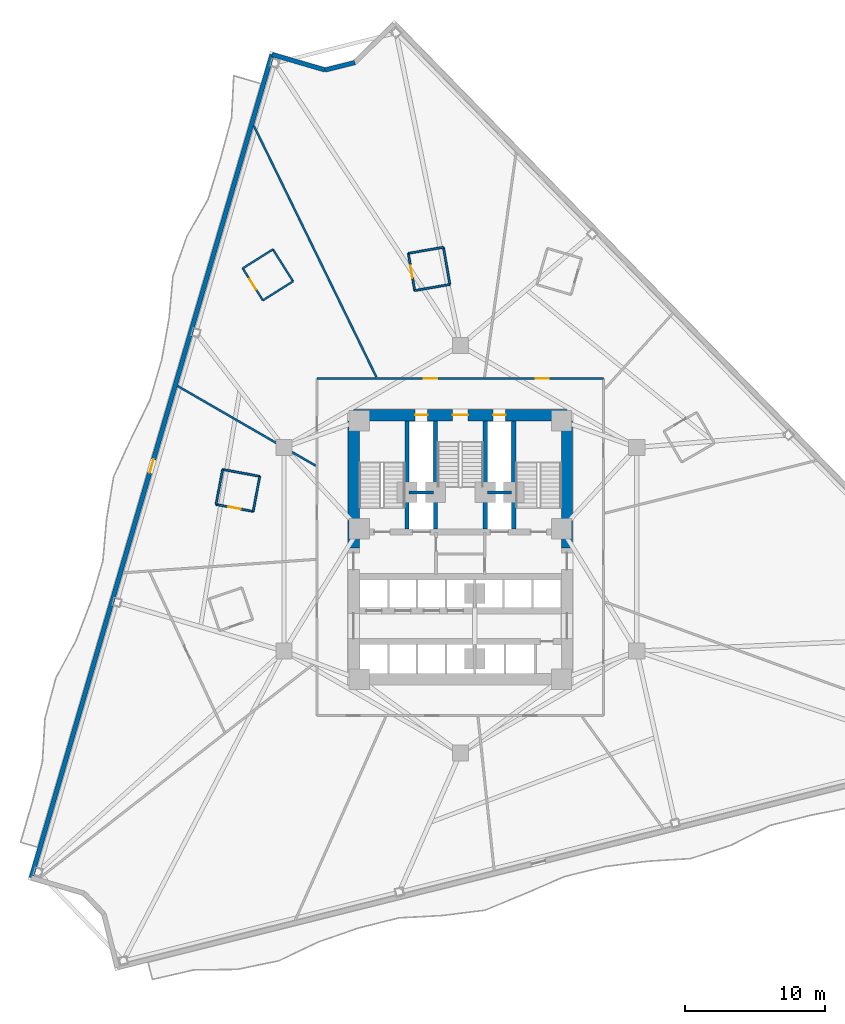
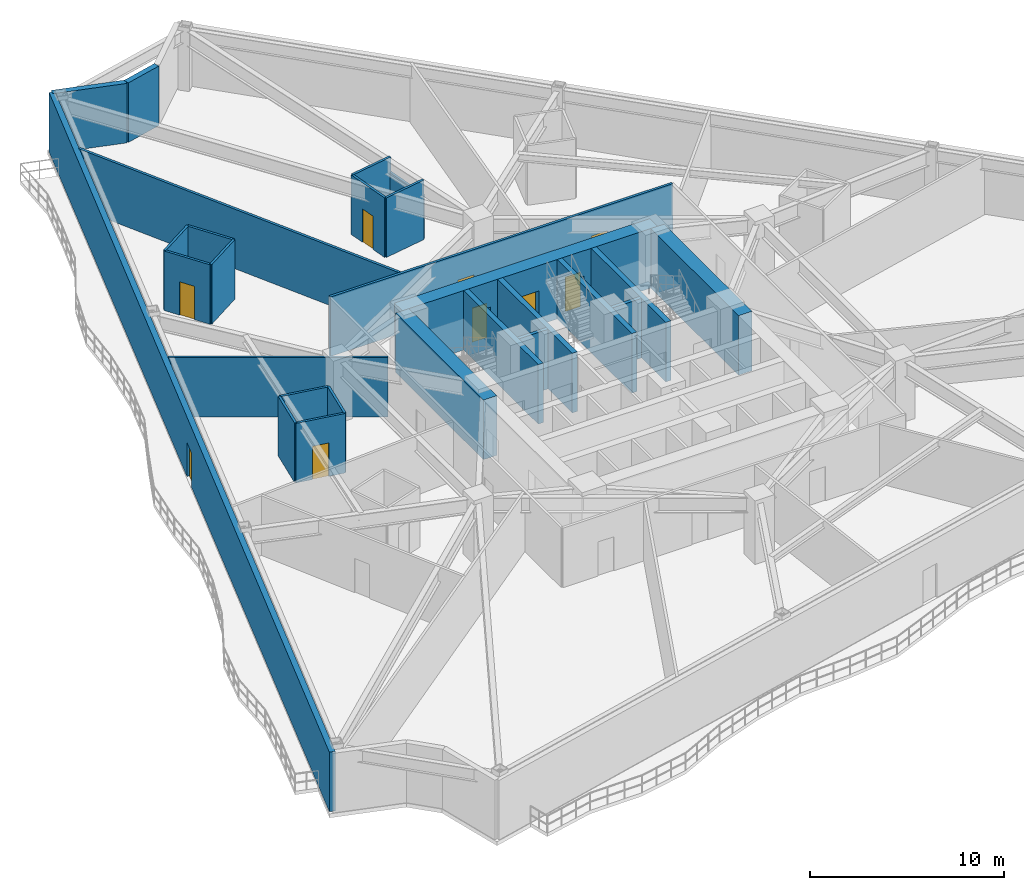
# One storey, part 5 of 9: 27 walls, 9 doors, 9 openings.
"""IFC4 building model written with IfcOpenShell, lengths in metres."""

from ifc_helpers import new_model, si_unit, direction, frame, frame_2d, origin, place, context, subcontext, project, spatial, rectangle, extrude, material, layer, layer_set, type_object, element, fill, save


model = new_model("IFC4")

# Units and contexts
model_context = context("Model", 3, precision=1e-05, world=origin(), true_north=direction((0.0, 1.0)))
body_context = subcontext(model_context, "Body", "Model", "MODEL_VIEW")
ifc_project = project(units=[si_unit("LENGTHUNIT", "METRE"), si_unit("AREAUNIT", "SQUARE_METRE"), si_unit("VOLUMEUNIT", "CUBIC_METRE"), si_unit("PLANEANGLEUNIT", "RADIAN"), si_unit("MASSUNIT", "GRAM", prefix="KILO")], contexts=[model_context])

# Site, building, storey
site_placement = place(None, origin())
site = spatial("IfcSite", under=ifc_project, at=site_placement, CompositionType="ELEMENT")
building_placement = place(site_placement, origin())
building = spatial("IfcBuilding", under=site, at=building_placement, Name="Apsidion Concourse Tower", CompositionType="ELEMENT")
storey_placement = place(building_placement, frame((0.0, 0.0, 119.0)))
storey = spatial("IfcBuildingStorey", under=building, at=storey_placement, Name="L27", CompositionType="ELEMENT", Elevation=119.0)

# Wall, opening, door
ifc_material_1 = material(Name="Precast concrete C40/50", Category="concrete")
ifc_layer_1 = layer(ifc_material_1, 0.320068359375)
ifc_layer_set_1 = layer_set([ifc_layer_1], Name="Precast concrete C40/50")
wall_type_1 = type_object("IfcWallType", Name="WL-EXT-320", PredefinedType="STANDARD", material=ifc_layer_set_1)
wall_1_placement = place(storey_placement, frame((-30.55908203125, -23.389404296875, 0.0), z_axis=(0.0, 0.0, 1.0), x_axis=(0.280769703207, 0.95977516834, 0.0)))
wall_1 = element("IfcWall", 1, at=wall_1_placement, inside=storey, type_object=wall_type_1, Name="L27 Precast Stone Facade Wall 09", PredefinedType="STANDARD", context=body_context, shape_type="SweptSolid", body=[
    extrude(rectangle(XDim=61.07568359375, YDim=0.320068359375, at=frame_2d((30.537841796875, 0.0))), origin(), (0.0, 0.0, 1.0), 3.75),
])
opening_1_placement = place(wall_1_placement, frame((30.037841796875, 0.0, 0.0)))
opening_1 = element("IfcOpeningElement", 2, at=opening_1_placement, cuts=wall_1, Name="Opening D-T1R", PredefinedType="OPENING", context=body_context, shape_type="SweptSolid", body=[
    extrude(rectangle(XDim=1.0, YDim=2.14990234375, at=frame_2d((0.5, 1.074951171875))), frame((0.0, 0.169921875, 0.0), z_axis=(0.0, -1.0, 0.0), x_axis=(1.0, 0.0, 0.0)), (0.0, 0.0, 1.0), 0.340087890625),
])
ifc_material_2 = material(Name="Anodised aluminium EN AW-6063 T6", Category="aluminium")
door_type_1 = type_object("IfcDoorType", Name="DR-TER-1022R", OperationType="SINGLE_SWING_RIGHT", PredefinedType="DOOR", material=ifc_material_2)
door_1_placement = place(opening_1_placement, origin())
door_1 = element("IfcDoor", 3, at=door_1_placement, inside=storey, type_object=door_type_1, Name="L27 Balcony Access Door 1", OperationType="SINGLE_SWING_RIGHT", OverallHeight=2.14990234375, OverallWidth=1.0, PredefinedType="DOOR", context=body_context, shape_type="SweptSolid", body=[
    extrude(rectangle(XDim=1.0, YDim=2.14990234375, at=frame_2d((0.5, 1.074951171875))), frame((0.0, 0.02490234375, 0.0), z_axis=(0.0, -1.0, 0.0), x_axis=(1.0, 0.0, 0.0)), (0.0, 0.0, 1.0), 0.050048828125),
])
fill(opening_1, door_1)

# Walls
wall_2_placement = place(storey_placement, frame((-13.410888671875, 35.2294921875, 0.0), z_axis=(0.0, 0.0, 1.0), x_axis=(0.959788404321, -0.280724453747, 0.0)))
element("IfcWall", 4, at=wall_2_placement, inside=storey, type_object=wall_type_1, Name="L27 Precast Stone Facade Wall 10", PredefinedType="STANDARD", context=body_context, shape_type="SweptSolid", body=[
    extrude(rectangle(XDim=3.93359375, YDim=0.320068359375, at=frame_2d((1.966796875, 0.0))), origin(), (0.0, 0.0, 1.0), 3.75),
])
wall_3_placement = place(storey_placement, frame((-9.635498046875, 34.125244140625, 0.0), z_axis=(0.0, 0.0, 1.0), x_axis=(0.970306423964, 0.241878985475, 0.0)))
element("IfcWall", 5, at=wall_3_placement, inside=storey, type_object=wall_type_1, Name="L27 Precast Stone Facade Wall 11", PredefinedType="STANDARD", context=body_context, shape_type="SweptSolid", body=[
    extrude(rectangle(XDim=2.187255859375, YDim=0.320068359375, at=frame_2d((1.09375, 0.0))), origin(), (0.0, 0.0, 1.0), 3.75),
])
ifc_material_3 = material(Name="Gypsum plasterboard partition")
ifc_layer_2 = layer(ifc_material_3, 0.139892578125)
ifc_layer_set_2 = layer_set([ifc_layer_2], Name="Gypsum plasterboard partition")
wall_type_2 = type_object("IfcWallType", Name="WL-INT-PAR-140", PredefinedType="PARTITIONING", material=ifc_layer_set_2)
wall_4_placement = place(storey_placement, frame((-0.748046875, 18.852294921875, 0.0), z_axis=(0.0, 0.0, 1.0), x_axis=(-0.170268588625, 0.985397690137, 0.0)))
element("IfcWall", 6, at=wall_4_placement, inside=storey, type_object=wall_type_2, Name="L27 Interior Partition WL-L27-POD-ENS08-S1", PredefinedType="PARTITIONING", context=body_context, shape_type="SweptSolid", body=[
    extrude(rectangle(XDim=2.68994140625, YDim=0.139892578125, at=frame_2d((1.344970703125, 0.0))), origin(), (0.0, 0.0, 1.0), 2.798095703125),
])
wall_5_placement = place(storey_placement, frame((-1.2060546875, 21.5029296875, 0.0), z_axis=(0.0, 0.0, 1.0), x_axis=(-0.985405123608, -0.170225563198, 0.0)))
element("IfcWall", 7, at=wall_5_placement, inside=storey, type_object=wall_type_2, Name="L27 Interior Partition WL-L27-POD-ENS08-S2", PredefinedType="PARTITIONING", context=body_context, shape_type="SweptSolid", body=[
    extrude(rectangle(XDim=2.5400390625, YDim=0.139892578125, at=frame_2d((1.27001953125, 0.0))), origin(), (0.0, 0.0, 1.0), 3.75),
])

# Wall, opening, door
wall_6_placement = place(storey_placement, frame((-3.708984375, 21.070556640625, 0.0), z_axis=(0.0, 0.0, 1.0), x_axis=(0.170180456377, -0.985412914604, 0.0)))
wall_6 = element("IfcWall", 8, at=wall_6_placement, inside=storey, type_object=wall_type_2, Name="L27 Interior Partition WL-L27-POD-ENS08-S3", PredefinedType="PARTITIONING", context=body_context, shape_type="SweptSolid", body=[
    extrude(rectangle(XDim=2.68994140625, YDim=0.139892578125, at=frame_2d((1.344970703125, 0.0))), origin(), (0.0, 0.0, 1.0), 3.75),
])
opening_2_placement = place(wall_6_placement, frame((0.905029296875, 0.0, 0.0)))
opening_2 = element("IfcOpeningElement", 9, at=opening_2_placement, cuts=wall_6, Name="Opening D-03L", PredefinedType="OPENING", context=body_context, shape_type="SweptSolid", body=[
    extrude(rectangle(XDim=0.8798828125, YDim=2.10009765625, at=frame_2d((0.43994140625, 1.050048828125))), frame((0.0, 0.080078125, 0.0), z_axis=(0.0, -1.0, 0.0), x_axis=(1.0, 0.0, 0.0)), (0.0, 0.0, 1.0), 0.159912109375),
])
door_type_2 = type_object("IfcDoorType", Name="DR-INT-D03L", OperationType="SINGLE_SWING_LEFT", PredefinedType="DOOR", material=ifc_material_2)
door_2_placement = place(opening_2_placement, origin())
door_2 = element("IfcDoor", 10, at=door_2_placement, inside=storey, type_object=door_type_2, Name="L27 Guest En-Suite Bathroom Door ENS08", OperationType="SINGLE_SWING_LEFT", OverallHeight=2.10009765625, OverallWidth=0.8798828125, PredefinedType="DOOR", context=body_context, shape_type="SweptSolid", body=[
    extrude(rectangle(XDim=0.8798828125, YDim=2.10009765625, at=frame_2d((0.43994140625, 1.050048828125))), frame((0.0, 0.02490234375, 0.0), z_axis=(0.0, -1.0, 0.0), x_axis=(1.0, 0.0, 0.0)), (0.0, 0.0, 1.0), 0.050048828125),
])
fill(opening_2, door_2)

# Walls
wall_7_placement = place(storey_placement, frame((-3.251220703125, 18.419921875, 0.0), z_axis=(0.0, 0.0, 1.0), x_axis=(0.985407908409, 0.170209441704, 0.0)))
element("IfcWall", 11, at=wall_7_placement, inside=storey, type_object=wall_type_2, Name="L27 Interior Partition WL-L27-POD-ENS08-S4", PredefinedType="PARTITIONING", context=body_context, shape_type="SweptSolid", body=[
    extrude(rectangle(XDim=2.540283203125, YDim=0.139892578125, at=frame_2d((1.27001953125, 0.0))), origin(), (0.0, 0.0, 1.0), 3.75),
])
wall_8_placement = place(storey_placement, frame((-11.913330078125, 19.077392578125, 0.0), z_axis=(0.0, 0.0, 1.0), x_axis=(-0.532834933534, 0.846219199502, 0.0)))
element("IfcWall", 12, at=wall_8_placement, inside=storey, type_object=wall_type_2, Name="L27 Interior Partition WL-L27-POD-ENS09-S1", PredefinedType="PARTITIONING", context=body_context, shape_type="SweptSolid", body=[
    extrude(rectangle(XDim=2.68994140625, YDim=0.139892578125, at=frame_2d((1.344970703125, 0.0))), origin(), (0.0, 0.0, 1.0), 3.75),
])
wall_9_placement = place(storey_placement, frame((-13.3466796875, 21.353759765625, 0.0), z_axis=(0.0, 0.0, 1.0), x_axis=(-0.846200737115, -0.532864253358, 0.0)))
element("IfcWall", 13, at=wall_9_placement, inside=storey, type_object=wall_type_2, Name="L27 Interior Partition WL-L27-POD-ENS09-S2", PredefinedType="PARTITIONING", context=body_context, shape_type="SweptSolid", body=[
    extrude(rectangle(XDim=2.5400390625, YDim=0.139892578125, at=frame_2d((1.27001953125, 0.0))), origin(), (0.0, 0.0, 1.0), 3.75),
])

# Wall, opening, door
wall_10_placement = place(storey_placement, frame((-15.49609375, 20.000244140625, 0.0), z_axis=(0.0, 0.0, 1.0), x_axis=(0.532875857991, -0.846193429407, 0.0)))
wall_10 = element("IfcWall", 14, at=wall_10_placement, inside=storey, type_object=wall_type_2, Name="L27 Interior Partition WL-L27-POD-ENS09-S3", PredefinedType="PARTITIONING", context=body_context, shape_type="SweptSolid", body=[
    extrude(rectangle(XDim=2.68994140625, YDim=0.139892578125, at=frame_2d((1.344970703125, 0.0))), origin(), (0.0, 0.0, 1.0), 3.75),
])
opening_3_placement = place(wall_10_placement, frame((0.905029296875, 0.0, 0.0)))
opening_3 = element("IfcOpeningElement", 15, at=opening_3_placement, cuts=wall_10, Name="Opening D-03R", PredefinedType="OPENING", context=body_context, shape_type="SweptSolid", body=[
    extrude(rectangle(XDim=0.8798828125, YDim=2.10009765625, at=frame_2d((0.43994140625, 1.050048828125))), frame((0.0, 0.080078125, 0.0), z_axis=(0.0, -1.0, 0.0), x_axis=(1.0, 0.0, 0.0)), (0.0, 0.0, 1.0), 0.159912109375),
])
door_type_3 = type_object("IfcDoorType", Name="DR-INT-D03R", OperationType="SINGLE_SWING_RIGHT", PredefinedType="DOOR", material=ifc_material_2)
door_3_placement = place(opening_3_placement, origin())
door_3 = element("IfcDoor", 16, at=door_3_placement, inside=storey, type_object=door_type_3, Name="L27 Guest En-Suite Bathroom Door ENS09", OperationType="SINGLE_SWING_RIGHT", OverallHeight=2.10009765625, OverallWidth=0.8798828125, PredefinedType="DOOR", context=body_context, shape_type="SweptSolid", body=[
    extrude(rectangle(XDim=0.8798828125, YDim=2.10009765625, at=frame_2d((0.43994140625, 1.050048828125))), frame((0.0, 0.02490234375, 0.0), z_axis=(0.0, -1.0, 0.0), x_axis=(1.0, 0.0, 0.0)), (0.0, 0.0, 1.0), 0.050048828125),
])
fill(opening_3, door_3)

# Walls
wall_11_placement = place(storey_placement, frame((-14.062744140625, 17.72412109375, 0.0), z_axis=(0.0, 0.0, 1.0), x_axis=(0.846244075981, 0.53279542403, 0.0)))
element("IfcWall", 17, at=wall_11_placement, inside=storey, type_object=wall_type_2, Name="L27 Interior Partition WL-L27-POD-ENS09-S4", PredefinedType="PARTITIONING", context=body_context, shape_type="SweptSolid", body=[
    extrude(rectangle(XDim=2.5400390625, YDim=0.139892578125, at=frame_2d((1.27001953125, 0.0))), origin(), (0.0, 0.0, 1.0), 3.75),
])
wall_12_placement = place(storey_placement, frame((-14.285400390625, 5.189697265625, 0.0), z_axis=(0.0, 0.0, 1.0), x_axis=(-0.982948137527, 0.183883003382, 0.0)))
element("IfcWall", 18, at=wall_12_placement, inside=storey, type_object=wall_type_2, Name="L27 Interior Partition WL-L27-POD-ENS10-S1", PredefinedType="PARTITIONING", context=body_context, shape_type="SweptSolid", body=[
    extrude(rectangle(XDim=2.68994140625, YDim=0.139892578125, at=frame_2d((1.344970703125, 0.0))), origin(), (0.0, 0.0, 1.0), 3.75),
])
wall_13_placement = place(storey_placement, frame((-16.929443359375, 5.684326171875, 0.0), z_axis=(0.0, 0.0, 1.0), x_axis=(-0.183975135731, -0.982930897588, 0.0)))
element("IfcWall", 19, at=wall_13_placement, inside=storey, type_object=wall_type_2, Name="L27 Interior Partition WL-L27-POD-ENS10-S2", PredefinedType="PARTITIONING", context=body_context, shape_type="SweptSolid", body=[
    extrude(rectangle(XDim=2.5400390625, YDim=0.139892578125, at=frame_2d((1.27001953125, 0.0))), origin(), (0.0, 0.0, 1.0), 3.75),
])

# Wall, opening, door
wall_14_placement = place(storey_placement, frame((-17.396728515625, 3.187744140625, 0.0), z_axis=(0.0, 0.0, 1.0), x_axis=(0.982931728961, -0.183970693869, 0.0)))
wall_14 = element("IfcWall", 20, at=wall_14_placement, inside=storey, type_object=wall_type_2, Name="L27 Interior Partition WL-L27-POD-ENS10-S3", PredefinedType="PARTITIONING", context=body_context, shape_type="SweptSolid", body=[
    extrude(rectangle(XDim=2.68994140625, YDim=0.139892578125, at=frame_2d((1.344970703125, 0.0))), origin(), (0.0, 0.0, 1.0), 3.75),
])
opening_4_placement = place(wall_14_placement, frame((0.905029296875, 0.0, 0.0)))
opening_4 = element("IfcOpeningElement", 21, at=opening_4_placement, cuts=wall_14, Name="Opening D-03L", PredefinedType="OPENING", context=body_context, shape_type="SweptSolid", body=[
    extrude(rectangle(XDim=0.8798828125, YDim=2.10009765625, at=frame_2d((0.43994140625, 1.050048828125))), frame((0.0, 0.080078125, 0.0), z_axis=(0.0, -1.0, 0.0), x_axis=(1.0, 0.0, 0.0)), (0.0, 0.0, 1.0), 0.159912109375),
])
door_4_placement = place(opening_4_placement, origin())
door_4 = element("IfcDoor", 22, at=door_4_placement, inside=storey, type_object=door_type_2, Name="L27 Guest En-Suite Bathroom Door ENS10", OperationType="SINGLE_SWING_LEFT", OverallHeight=2.10009765625, OverallWidth=0.8798828125, PredefinedType="DOOR", context=body_context, shape_type="SweptSolid", body=[
    extrude(rectangle(XDim=0.8798828125, YDim=2.10009765625, at=frame_2d((0.43994140625, 1.050048828125))), frame((0.0, 0.02490234375, 0.0), z_axis=(0.0, -1.0, 0.0), x_axis=(1.0, 0.0, 0.0)), (0.0, 0.0, 1.0), 0.050048828125),
])
fill(opening_4, door_4)

# Wall
wall_15_placement = place(storey_placement, frame((-14.752685546875, 2.69287109375, 0.0), z_axis=(0.0, 0.0, 1.0), x_axis=(0.183957755361, 0.982934150512, 0.0)))
element("IfcWall", 23, at=wall_15_placement, inside=storey, type_object=wall_type_2, Name="L27 Interior Partition WL-L27-POD-ENS10-S4", PredefinedType="PARTITIONING", context=body_context, shape_type="SweptSolid", body=[
    extrude(rectangle(XDim=2.540283203125, YDim=0.139892578125, at=frame_2d((1.27001953125, 0.0))), origin(), (0.0, 0.0, 1.0), 3.75),
])

# Wall, openings, doors
ifc_layer_3 = layer(ifc_material_3, 0.14990234375)
ifc_layer_set_3 = layer_set([ifc_layer_3], Name="Gypsum plasterboard partition")
wall_type_3 = type_object("IfcWallType", Name="WL-INT-PAR-150", PredefinedType="PARTITIONING", material=ifc_layer_set_3)
wall_16_placement = place(storey_placement, frame((-10.199951171875, 12.14990234375, 0.0), z_axis=(0.0, 0.0, 1.0), x_axis=(1.0, 0.0, 0.0)))
wall_16 = element("IfcWall", 24, at=wall_16_placement, inside=storey, type_object=wall_type_3, Name="L27 Interior Partition WL-L27-CORR-01", PredefinedType="PARTITIONING", context=body_context, shape_type="SweptSolid", body=[
    extrude(rectangle(XDim=20.39990234375, YDim=0.14990234375, at=frame_2d((10.199951171875, 0.0))), origin(), (0.0, 0.0, 1.0), 3.75),
])
opening_5_placement = place(wall_16_placement, frame((15.557373046875, 0.0, 0.0)))
opening_5 = element("IfcOpeningElement", 25, at=opening_5_placement, cuts=wall_16, Name="Opening D-01R", PredefinedType="OPENING", context=body_context, shape_type="SweptSolid", body=[
    extrude(rectangle(XDim=0.949951171875, YDim=2.14990234375, at=frame_2d((0.47509765625, 1.074951171875))), frame((0.0, 0.0849609375, 0.0), z_axis=(0.0, -1.0, 0.0), x_axis=(1.0, 0.0, 0.0)), (0.0, 0.0, 1.0), 0.169921875),
])
opening_6_placement = place(wall_16_placement, frame((7.601318359375, 0.0, 0.0)))
opening_6 = element("IfcOpeningElement", 26, at=opening_6_placement, cuts=wall_16, Name="Opening D-01L", PredefinedType="OPENING", context=body_context, shape_type="SweptSolid", body=[
    extrude(rectangle(XDim=0.949951171875, YDim=2.14990234375, at=frame_2d((0.47509765625, 1.074951171875))), frame((0.0, 0.0849609375, 0.0), z_axis=(0.0, -1.0, 0.0), x_axis=(1.0, 0.0, 0.0)), (0.0, 0.0, 1.0), 0.169921875),
])
ifc_material_4 = material(Name="Brushed stainless steel 316", Category="steel")
door_type_4 = type_object("IfcDoorType", Name="DR-INT-D01L", OperationType="SINGLE_SWING_LEFT", PredefinedType="DOOR", material=ifc_material_4)
door_5_placement = place(opening_6_placement, origin())
door_5 = element("IfcDoor", 27, at=door_5_placement, inside=storey, type_object=door_type_4, Name="L27 Corridor Entry Door 09", OperationType="SINGLE_SWING_LEFT", OverallHeight=2.14990234375, OverallWidth=0.949951171875, PredefinedType="DOOR", context=body_context, shape_type="SweptSolid", body=[
    extrude(rectangle(XDim=0.949951171875, YDim=2.14990234375, at=frame_2d((0.47509765625, 1.074951171875))), frame((0.0, 0.02490234375, 0.0), z_axis=(0.0, -1.0, 0.0), x_axis=(1.0, 0.0, 0.0)), (0.0, 0.0, 1.0), 0.050048828125),
])
fill(opening_6, door_5)
door_type_5 = type_object("IfcDoorType", Name="DR-INT-D01R", OperationType="SINGLE_SWING_RIGHT", PredefinedType="DOOR", material=ifc_material_4)
door_6_placement = place(opening_5_placement, origin())
door_6 = element("IfcDoor", 28, at=door_6_placement, inside=storey, type_object=door_type_5, Name="L27 Corridor Entry Door 08", OperationType="SINGLE_SWING_RIGHT", OverallHeight=2.14990234375, OverallWidth=0.949951171875, PredefinedType="DOOR", context=body_context, shape_type="SweptSolid", body=[
    extrude(rectangle(XDim=0.949951171875, YDim=2.14990234375, at=frame_2d((0.47509765625, 1.074951171875))), frame((0.0, 0.02490234375, 0.0), z_axis=(0.0, -1.0, 0.0), x_axis=(1.0, 0.0, 0.0)), (0.0, 0.0, 1.0), 0.050048828125),
])
fill(opening_5, door_6)

# Walls
wall_17_placement = place(storey_placement, frame((-5.977294921875, 12.2548828125, 0.0), z_axis=(0.0, 0.0, 1.0), x_axis=(-0.438363997838, 0.89879753304, 0.0)))
element("IfcWall", 29, at=wall_17_placement, inside=storey, type_object=wall_type_3, Name="L27 Interior Partition WL-L27-RAD-04-1", PredefinedType="PARTITIONING", context=body_context, shape_type="SweptSolid", body=[
    extrude(rectangle(XDim=19.92333984375, YDim=0.14990234375, at=frame_2d((9.961669921875, 0.0))), origin(), (0.0, 0.0, 1.0), 3.75),
])
wall_18_placement = place(storey_placement, frame((-10.304931640625, 5.94970703125, 0.0), z_axis=(0.0, 0.0, 1.0), x_axis=(-0.866030475499, 0.49999121543, 0.0)))
element("IfcWall", 30, at=wall_18_placement, inside=storey, type_object=wall_type_3, Name="L27 Interior Partition WL-L27-RAD-05-1", PredefinedType="PARTITIONING", context=body_context, shape_type="SweptSolid", body=[
    extrude(rectangle(XDim=11.349365234375, YDim=0.14990234375, at=frame_2d((5.6748046875, 0.0))), origin(), (0.0, 0.0, 1.0), 3.75),
])
ifc_layer_4 = layer(ifc_material_3, 0.199951171875)
ifc_layer_set_4 = layer_set([ifc_layer_4], Name="Gypsum plasterboard partition")
wall_type_4 = type_object("IfcWallType", Name="WL-INT-PAR-200", PredefinedType="PARTITIONING", material=ifc_layer_set_4)
for number, where, z_axis, x_axis, name in (
    (31, (-3.64990234375, 4.050048828125, 0.0), (0.0, 0.0, 1.0), (1.0, 0.0, 0.0), "L27 Interior Partition WL-L27-FF1-N"),
    (32, (1.919921875, 4.050048828125, 0.0), (0.0, 0.0, 1.0), (1.0, 0.0, 0.0), "L27 Interior Partition WL-L27-FF2-N"),
):
    element("IfcWall", number, at=place(storey_placement, frame(where, z_axis=z_axis, x_axis=x_axis)), inside=storey, type_object=wall_type_4, Name=name, PredefinedType="PARTITIONING", context=body_context, shape_type="SweptSolid", body=[
        extrude(rectangle(XDim=1.72998046875, YDim=0.199951171875, at=frame_2d((0.864990234375, 0.0))), origin(), (0.0, 0.0, 1.0), 3.75),
    ])
ifc_material_5 = material(Name="Concrete C50/60", Category="concrete")
ifc_layer_5 = layer(ifc_material_5, 0.300048828125)
ifc_layer_set_5 = layer_set([ifc_layer_5], Name="Concrete C50/60")
wall_type_5 = type_object("IfcWallType", Name="WL-SH-300", PredefinedType="SHEAR", material=ifc_layer_set_5)
for number, where, z_axis, x_axis, name in (
    (33, (-3.800048828125, 1.449951171875, 0.0), (0.0, 0.0, 1.0), (0.0, 1.0, 0.0), "L27 Central Core Shear Wall V1"),
    (34, (-1.77490234375, 1.449951171875, 0.0), (0.0, 0.0, 1.0), (0.0, 1.0, 0.0), "L27 Central Core Shear Wall V2"),
    (35, (1.77490234375, 1.449951171875, 0.0), (0.0, 0.0, 1.0), (0.0, 1.0, 0.0), "L27 Central Core Shear Wall V3"),
    (36, (3.800048828125, 1.449951171875, 0.0), (0.0, 0.0, 1.0), (0.0, 1.0, 0.0), "L27 Central Core Shear Wall V4"),
):
    element("IfcWall", number, at=place(storey_placement, frame(where, z_axis=z_axis, x_axis=x_axis)), inside=storey, type_object=wall_type_5, Name=name, PredefinedType="SHEAR", context=body_context, shape_type="SweptSolid", body=[
        extrude(rectangle(XDim=7.699951171875, YDim=0.300048828125, at=frame_2d((3.85009765625, 0.0))), origin(), (0.0, 0.0, 1.0), 3.75),
    ])

# Wall, openings, doors
ifc_material_6 = material(Name="Concrete C60/75", Category="concrete")
ifc_layer_6 = layer(ifc_material_6, 0.800048828125)
ifc_layer_set_6 = layer_set([ifc_layer_6], Name="Concrete C60/75")
wall_type_6 = type_object("IfcWallType", Name="WL-SH-800", PredefinedType="SHEAR", material=ifc_layer_set_6)
wall_19_placement = place(storey_placement, frame((-7.60009765625, 9.550048828125, 0.0), z_axis=(0.0, 0.0, 1.0), x_axis=(1.0, 0.0, 0.0)))
wall_19 = element("IfcWall", 37, at=wall_19_placement, inside=storey, type_object=wall_type_6, Name="L27 Central Core Shear Wall N", PredefinedType="SHEAR", context=body_context, shape_type="SweptSolid", body=[
    extrude(rectangle(XDim=15.2001953125, YDim=0.800048828125, at=frame_2d((7.60009765625, 0.0))), origin(), (0.0, 0.0, 1.0), 3.75),
])
opening_7_placement = place(wall_19_placement, frame((7.050048828125, 0.0, 0.0)))
opening_7 = element("IfcOpeningElement", 38, at=opening_7_placement, cuts=wall_19, Name="Opening D-STL", PredefinedType="OPENING", context=body_context, shape_type="SweptSolid", body=[
    extrude(rectangle(XDim=1.10009765625, YDim=2.14990234375, at=frame_2d((0.550048828125, 1.074951171875))), frame((0.0, 0.41015625, 0.0), z_axis=(0.0, -1.0, 0.0), x_axis=(1.0, 0.0, 0.0)), (0.0, 0.0, 1.0), 0.820068359375),
])
opening_8_placement = place(wall_19_placement, frame((4.3798828125, 0.0, 0.0)))
opening_8 = element("IfcOpeningElement", 39, at=opening_8_placement, cuts=wall_19, Name="Opening D-05L", PredefinedType="OPENING", context=body_context, shape_type="SweptSolid", body=[
    extrude(rectangle(XDim=0.8798828125, YDim=2.14990234375, at=frame_2d((0.43994140625, 1.074951171875))), frame((0.0, 0.41015625, 0.0), z_axis=(0.0, -1.0, 0.0), x_axis=(1.0, 0.0, 0.0)), (0.0, 0.0, 1.0), 0.820068359375),
])
opening_9_placement = place(wall_19_placement, frame((9.93994140625, 0.0, 0.0)))
opening_9 = element("IfcOpeningElement", 40, at=opening_9_placement, cuts=wall_19, Name="Opening D-05R", PredefinedType="OPENING", context=body_context, shape_type="SweptSolid", body=[
    extrude(rectangle(XDim=0.8798828125, YDim=2.14990234375, at=frame_2d((0.43994140625, 1.074951171875))), frame((0.0, 0.41015625, 0.0), z_axis=(0.0, -1.0, 0.0), x_axis=(1.0, 0.0, 0.0)), (0.0, 0.0, 1.0), 0.820068359375),
])
door_type_6 = type_object("IfcDoorType", Name="DR-INT-D05L", OperationType="SINGLE_SWING_LEFT", PredefinedType="DOOR", material=ifc_material_4)
door_7_placement = place(opening_8_placement, origin())
door_7 = element("IfcDoor", 41, at=door_7_placement, inside=storey, type_object=door_type_6, Name="L27 Electrical Riser Shaft Access Door", OperationType="SINGLE_SWING_LEFT", OverallHeight=2.14990234375, OverallWidth=0.8798828125, PredefinedType="DOOR", context=body_context, shape_type="SweptSolid", body=[
    extrude(rectangle(XDim=0.8798828125, YDim=2.14990234375, at=frame_2d((0.43994140625, 1.074951171875))), frame((0.0, 0.02490234375, 0.0), z_axis=(0.0, -1.0, 0.0), x_axis=(1.0, 0.0, 0.0)), (0.0, 0.0, 1.0), 0.050048828125),
])
fill(opening_8, door_7)
door_type_7 = type_object("IfcDoorType", Name="DR-INT-D05R", OperationType="SINGLE_SWING_RIGHT", PredefinedType="DOOR", material=ifc_material_4)
door_8_placement = place(opening_9_placement, origin())
door_8 = element("IfcDoor", 42, at=door_8_placement, inside=storey, type_object=door_type_7, Name="L27 Mechanical Riser Shaft Access Door", OperationType="SINGLE_SWING_RIGHT", OverallHeight=2.14990234375, OverallWidth=0.8798828125, PredefinedType="DOOR", context=body_context, shape_type="SweptSolid", body=[
    extrude(rectangle(XDim=0.8798828125, YDim=2.14990234375, at=frame_2d((0.43994140625, 1.074951171875))), frame((0.0, 0.02490234375, 0.0), z_axis=(0.0, -1.0, 0.0), x_axis=(1.0, 0.0, 0.0)), (0.0, 0.0, 1.0), 0.050048828125),
])
fill(opening_9, door_8)
door_type_8 = type_object("IfcDoorType", Name="DR-INT-ST1L", OperationType="SINGLE_SWING_LEFT", PredefinedType="DOOR", material=ifc_material_4)
door_9_placement = place(opening_7_placement, origin())
door_9 = element("IfcDoor", 43, at=door_9_placement, inside=storey, type_object=door_type_8, Name="L27 Core Exit Stair ST3 Door", OperationType="SINGLE_SWING_LEFT", OverallHeight=2.14990234375, OverallWidth=1.10009765625, PredefinedType="DOOR", context=body_context, shape_type="SweptSolid", body=[
    extrude(rectangle(XDim=1.10009765625, YDim=2.14990234375, at=frame_2d((0.550048828125, 1.074951171875))), frame((0.0, 0.02490234375, 0.0), z_axis=(0.0, -1.0, 0.0), x_axis=(1.0, 0.0, 0.0)), (0.0, 0.0, 1.0), 0.050048828125),
])
fill(opening_7, door_9)

# Walls
for number, where, z_axis, x_axis, name in (
    (44, (-7.60009765625, 0.10009765625, 0.0), (0.0, 0.0, 1.0), (0.0, 1.0, 0.0), "L27 Central Core Shear Wall WN"),
    (45, (7.60009765625, 0.10009765625, 0.0), (0.0, 0.0, 1.0), (0.0, 1.0, 0.0), "L27 Central Core Shear Wall EN"),
):
    element("IfcWall", number, at=place(storey_placement, frame(where, z_axis=z_axis, x_axis=x_axis)), inside=storey, type_object=wall_type_6, Name=name, PredefinedType="SHEAR", context=body_context, shape_type="SweptSolid", body=[
        extrude(rectangle(XDim=9.0498046875, YDim=0.800048828125, at=frame_2d((4.52490234375, 0.0))), origin(), (0.0, 0.0, 1.0), 3.75),
    ])

save(model, "model.ifc")
